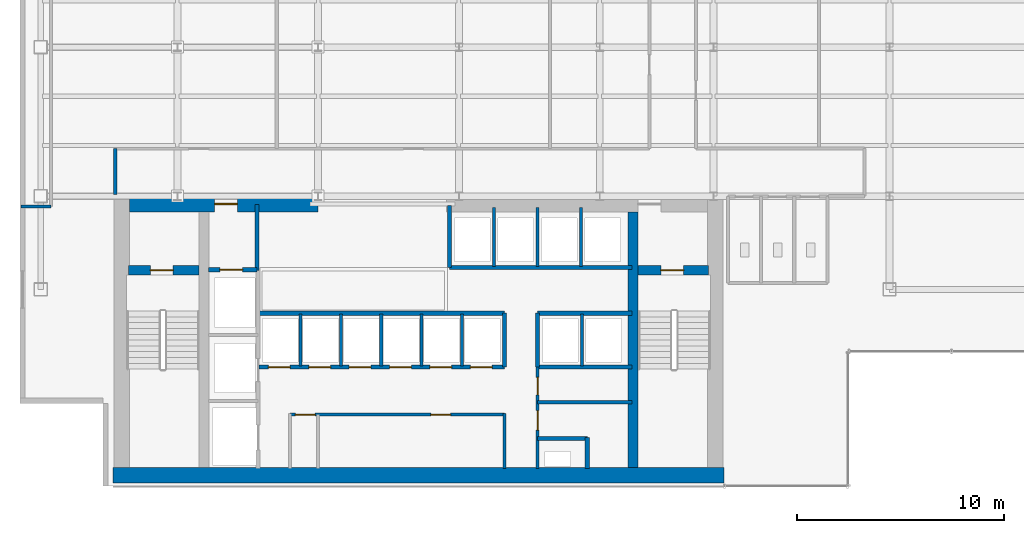
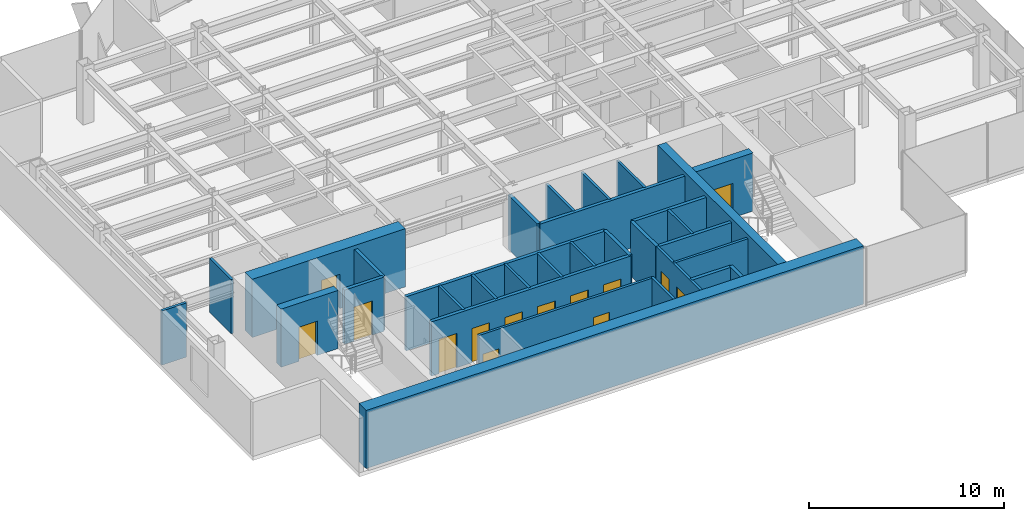
# One storey, part 14 of 19: 32 walls, 14 doors, 14 openings.
"""IFC4 building model written with IfcOpenShell, lengths in metres."""

import ifcopenshell
import ifcopenshell.guid

model = None  # the IFC model being written
_history = None  # IfcOwnerHistory: only IFC2X3 demands one
_inside = {}  # id of a spatial element -> (the spatial element, [elements in it])
_under = {}  # id of a project, library or spatial element -> (it, [spatial elements below it])
_declared = {}  # id of a project -> (the project, [libraries it declares])
_typed = {}  # id of a type object -> (the type object, [elements of that type])
_made_of = {}  # id of a material, layer set ... -> (it, [elements and type objects made of it])


def new_model(schema):
    """Start an empty IFC model of exactly this schema.

    Asked for "IFC4X3", IfcOpenShell would pick the latest addendum, in which some entities
    have other attributes; the version numbers below select the first issue.
    IFC2X3 requires an IfcOwnerHistory on every rooted entity: one is made here for all.
    """
    global model, _history
    if schema == "IFC4X3":
        model = ifcopenshell.file(schema_version=(4, 3, 0, 0))
    else:
        model = ifcopenshell.file(schema=schema)
    _inside.clear()
    _under.clear()
    _declared.clear()
    _typed.clear()
    _made_of.clear()
    _history = None
    if model.schema == "IFC2X3":
        org = make("IfcOrganization", Name="unknown")
        user = make(
            "IfcPersonAndOrganization",
            ThePerson=make("IfcPerson", FamilyName="unknown"),
            TheOrganization=org,
        )
        app = make(
            "IfcApplication",
            ApplicationDeveloper=org,
            Version="unknown",
            ApplicationFullName="unknown",
            ApplicationIdentifier="unknown",
        )
        _history = make(
            "IfcOwnerHistory",
            OwningUser=user,
            OwningApplication=app,
            ChangeAction="ADDED",
            CreationDate=0,
        )
    return model


def make(cls, **values):
    """One entity of the class cls with the attributes given. An attribute that is None is left unset."""
    return model.create_entity(
        cls, **{name: value for name, value in values.items() if value is not None}
    )


def rooted(cls, **values):
    """An entity with a GlobalId (a new one), such as an element, a storey or a relation."""
    return make(cls, GlobalId=ifcopenshell.guid.new(), OwnerHistory=_history, **values)


def si_unit(unit_type, name, prefix=None):
    """IfcSIUnit, for example si_unit("LENGTHUNIT", "METRE", prefix="MILLI")."""
    return make("IfcSIUnit", UnitType=unit_type, Prefix=prefix, Name=name)


def derived_unit(unit_type, elements):
    """IfcDerivedUnit: a product of units, each with its exponent."""
    return make(
        "IfcDerivedUnit",
        Elements=[
            make("IfcDerivedUnitElement", Unit=unit, Exponent=power)
            for unit, power in elements
        ],
        UnitType=unit_type,
    )


def assignment(units):
    """IfcUnitAssignment: the units of a project."""
    return None if units is None else make("IfcUnitAssignment", Units=units)


def point(xyz):
    """IfcCartesianPoint."""
    return None if xyz is None else make("IfcCartesianPoint", Coordinates=xyz)


def direction(xyz):
    """IfcDirection."""
    return None if xyz is None else make("IfcDirection", DirectionRatios=xyz)


def frame(location, z_axis=None, x_axis=None):
    """IfcAxis2Placement3D, a coordinate frame: its origin and axes. An axis left out is left unset."""
    return make(
        "IfcAxis2Placement3D",
        Location=point(location),
        Axis=direction(z_axis),
        RefDirection=direction(x_axis),
    )


def frame_2d(location, x_axis=None):
    """IfcAxis2Placement2D, a coordinate frame in the plane: its origin and x axis."""
    return make(
        "IfcAxis2Placement2D", Location=point(location), RefDirection=direction(x_axis)
    )


def origin():
    """The frame at (0, 0, 0) with its axes left unset."""
    return frame((0.0, 0.0, 0.0))


def place(relative_to, where):
    """IfcLocalPlacement: puts the frame where relative to a parent placement (None: the world)."""
    return make(
        "IfcLocalPlacement", PlacementRelTo=relative_to, RelativePlacement=where
    )


def context(
    kind, dimensions, precision=None, world=None, true_north=None, identifier=None
):
    """IfcGeometricRepresentationContext, for example the 3D "Model" context."""
    return make(
        "IfcGeometricRepresentationContext",
        ContextIdentifier=identifier,
        ContextType=kind,
        CoordinateSpaceDimension=dimensions,
        Precision=precision,
        WorldCoordinateSystem=world,
        TrueNorth=true_north,
    )


def subcontext(parent, identifier, kind, view, scale=None):
    """IfcGeometricRepresentationSubContext, for example "Body" below "Model"."""
    return make(
        "IfcGeometricRepresentationSubContext",
        ContextIdentifier=identifier,
        ContextType=kind,
        ParentContext=parent,
        TargetScale=scale,
        TargetView=view,
    )


def project(units=None, contexts=None):
    """IfcProject with its units and contexts."""
    return rooted(
        "IfcProject",
        Name="project",
        RepresentationContexts=contexts,
        UnitsInContext=assignment(units),
    )


def spatial(cls, under=None, at=None, **own):
    """A site, building, storey or space (cls), placed at a placement, below another one or the project."""
    s = rooted(cls, ObjectPlacement=at, **own)
    if under is not None:
        _under.setdefault(under.id(), (under, []))[1].append(s)
    return s


def profile(cls, at=None, kind="AREA", **sizes):
    """A parametric profile (cls). Its sizes go by their IFC names, for example OverallWidth=200.0."""
    return make(cls, ProfileType=kind, Position=at, **sizes)


def rectangle(**sizes):
    """IfcRectangleProfileDef."""
    return profile("IfcRectangleProfileDef", **sizes)


def extrude(swept, where, along, depth):
    """IfcExtrudedAreaSolid: the profile swept, set in the frame where, extruded along a direction by depth."""
    return make(
        "IfcExtrudedAreaSolid",
        SweptArea=swept,
        Position=where,
        ExtrudedDirection=direction(along),
        Depth=depth,
    )


def shape(context_of_items, identifier, shape_type, items):
    """IfcShapeRepresentation: the items that make up one representation, for example the "Body"."""
    return make(
        "IfcShapeRepresentation",
        ContextOfItems=context_of_items,
        RepresentationIdentifier=identifier,
        RepresentationType=shape_type,
        Items=items,
    )


def source(mapping_origin, context_of_items, identifier, shape_type, items):
    """IfcRepresentationMap: a shape defined once, which mapped items show again and again."""
    return make(
        "IfcRepresentationMap",
        MappingOrigin=mapping_origin,
        MappedRepresentation=shape(context_of_items, identifier, shape_type, items),
    )


def transform(
    local_origin,
    x_axis=None,
    y_axis=None,
    z_axis=None,
    scale=None,
    scale2=None,
    scale3=None,
    uniform=True,
):
    """IfcCartesianTransformationOperator3D, or its non-uniform kind. x_axis, y_axis, z_axis: its Axis1, 2, 3."""
    if uniform:
        return make(
            "IfcCartesianTransformationOperator3D",
            Axis1=direction(x_axis),
            Axis2=direction(y_axis),
            LocalOrigin=point(local_origin),
            Scale=scale,
            Axis3=direction(z_axis),
        )
    return make(
        "IfcCartesianTransformationOperator3DnonUniform",
        Axis1=direction(x_axis),
        Axis2=direction(y_axis),
        LocalOrigin=point(local_origin),
        Scale=scale,
        Axis3=direction(z_axis),
        Scale2=scale2,
        Scale3=scale3,
    )


def mapped(mapping_source, mapping_target):
    """IfcMappedItem: shows the shape of a source again, moved by a transform."""
    return make(
        "IfcMappedItem", MappingSource=mapping_source, MappingTarget=mapping_target
    )


def material(Name=None, Category=None):
    """IfcMaterial."""
    return make("IfcMaterial", Name=Name, Category=Category)


def layer(
    of_material, thickness, ventilated=None, Name=None, Category=None, Priority=None
):
    """IfcMaterialLayer: one layer of a wall or slab, of a material (None: an air gap)."""
    return make(
        "IfcMaterialLayer",
        Material=of_material,
        LayerThickness=thickness,
        IsVentilated=ventilated,
        Name=Name,
        Category=Category,
        Priority=Priority,
    )


def layer_set(layers, Name=None):
    """IfcMaterialLayerSet."""
    return make("IfcMaterialLayerSet", MaterialLayers=layers, LayerSetName=Name)


def made_of(thing, what):
    """Note that an element or type object is made of a material, layer set ...; save() writes the relation."""
    if what is not None:
        _made_of.setdefault(what.id(), (what, []))[1].append(thing)
    return thing


def type_object(cls, material=None, **own):
    """A type object (cls), such as IfcWallType, which elements share."""
    return made_of(rooted(cls, **own), material)


def element(
    cls,
    number,
    at=None,
    inside=None,
    cuts=None,
    type_object=None,
    material=None,
    context=None,
    identifier="Body",
    shape_type=None,
    held_by="IfcProductDefinitionShape",
    body=None,
    shapes=None,
    **own,
):
    """One element of the class cls, such as IfcWall. Its Tag is "e" and its number.

    at: its placement. inside: the storey or other place that contains it. cuts: it is an
    opening in that element (IfcRelVoidsElement). A single representation is given by context,
    identifier, shape_type and body (its items); several are given by shapes. held_by: the class
    of the entity that holds the representations. save() writes the other relations.
    """
    e = rooted(cls, Tag="e%d" % number, ObjectPlacement=at, **own)
    if body is not None:
        shapes = [shape(context, identifier, shape_type, body)]
    if shapes is not None:
        e.Representation = make(held_by, Representations=shapes)
    if inside is not None:
        _inside.setdefault(inside.id(), (inside, []))[1].append(e)
    if cuts is not None:
        rooted(
            "IfcRelVoidsElement", RelatingBuildingElement=cuts, RelatedOpeningElement=e
        )
    if type_object is not None:
        _typed.setdefault(type_object.id(), (type_object, []))[1].append(e)
    return made_of(e, material)


def fill(opening, filler):
    """IfcRelFillsElement: the door or window that sits in an opening."""
    return rooted(
        "IfcRelFillsElement",
        RelatingOpeningElement=opening,
        RelatedBuildingElement=filler,
    )


def aggregate(whole, parts):
    """IfcRelAggregates: a whole, such as a stair, and the parts it consists of."""
    return rooted("IfcRelAggregates", RelatingObject=whole, RelatedObjects=parts)


def save(model, path):
    """Write the relations noted so far, then the file.

    IfcRelAggregates (storeys below a building ...), IfcRelContainedInSpatialStructure (elements
    in a storey), IfcRelDefinesByType, IfcRelAssociatesMaterial and IfcRelDeclares: one each for
    every whole, place, type object, material and project.
    """
    for whole, parts in _under.values():
        aggregate(whole, parts)
    for where, things in _inside.values():
        rooted(
            "IfcRelContainedInSpatialStructure",
            RelatedElements=things,
            RelatingStructure=where,
        )
    for kind, things in _typed.values():
        rooted("IfcRelDefinesByType", RelatedObjects=things, RelatingType=kind)
    for what, things in _made_of.values():
        rooted("IfcRelAssociatesMaterial", RelatedObjects=things, RelatingMaterial=what)
    for by, libraries in _declared.values():
        rooted("IfcRelDeclares", RelatingContext=by, RelatedDefinitions=libraries)
    model.write(path)


model = new_model("IFC4")

# Units and contexts
model_context = context("Model", 3, precision=1e-05, world=origin(), true_north=direction((0.0, 1.0)))
body_context = subcontext(model_context, "Body", "Model", "MODEL_VIEW")
ifc_project = project(units=[si_unit("LENGTHUNIT", "METRE"), si_unit("AREAUNIT", "SQUARE_METRE"), si_unit("VOLUMEUNIT", "CUBIC_METRE"), si_unit("PLANEANGLEUNIT", "RADIAN"), si_unit("MASSUNIT", "GRAM", prefix="KILO"), derived_unit("THERMALTRANSMITTANCEUNIT", [(si_unit("POWERUNIT", "WATT"), 1), (si_unit("LENGTHUNIT", "METRE"), -2), (si_unit("THERMODYNAMICTEMPERATUREUNIT", "KELVIN"), -1)])], contexts=[model_context])

# Site, building, storey
site_placement = place(None, origin())
site = spatial("IfcSite", under=ifc_project, at=site_placement, CompositionType="ELEMENT")
building_placement = place(site_placement, origin())
building = spatial("IfcBuilding", under=site, at=building_placement, Name="Skarnbrae Concourse Arena and Tower", CompositionType="ELEMENT")
storey_placement = place(building_placement, frame((0.0, 0.0, 180.75)))
storey = spatial("IfcBuildingStorey", under=building, at=storey_placement, Name="L46", CompositionType="ELEMENT", Elevation=180.75)

# Wall, opening, door
ifc_material_1 = material(Name="Concrete 50 MPa (C50/60)", Category="concrete")
ifc_layer_1 = layer(ifc_material_1, 0.449951171875)
ifc_layer_set_1 = layer_set([ifc_layer_1], Name="Concrete 50 MPa (C50/60)")
wall_type_1 = type_object("IfcWallType", Name="WALL-CORE-450-C50", PredefinedType="SHEAR", material=ifc_layer_set_1)
shared_shape_1 = source(origin(), body_context, "Body", "SweptSolid", [
    extrude(rectangle(XDim=3.389892578125, YDim=0.449951171875, at=frame_2d((1.69482421875, 0.0))), origin(), (0.0, 0.0, 1.0), 3.64990234375),
])
wall_1_placement = place(storey_placement, frame((5.25, 10.419921875, 0.0), z_axis=(0.0, 0.0, 1.0), x_axis=(1.0, 0.0, 0.0)))
wall_1 = element("IfcWall", 1, at=wall_1_placement, inside=storey, type_object=wall_type_1, Name="L46 Rear core shear wall CW-ST1-N", PredefinedType="SHEAR", context=body_context, shape_type="MappedRepresentation", body=[
    mapped(shared_shape_1, transform((0.0, 0.0, 0.0))),
])
opening_1_placement = place(wall_1_placement, frame((1.050048828125, 0.0, 0.0)))
opening_1 = element("IfcOpeningElement", 2, at=opening_1_placement, cuts=wall_1, Name="Opening DT-03", PredefinedType="OPENING", context=body_context, shape_type="SweptSolid", body=[
    extrude(rectangle(XDim=1.10009765625, YDim=2.14990234375, at=frame_2d((0.550048828125, 1.074951171875))), frame((0.0, 0.23486328125, 0.0), z_axis=(0.0, -1.0, 0.0), x_axis=(1.0, 0.0, 0.0)), (0.0, 0.0, 1.0), 0.469970703125),
])
ifc_material_2 = material(Name="Steel CSA G40.21 350W", Category="steel")
door_type_1 = type_object("IfcDoorType", Name="DOOR-FIRE-1100-90M", OperationType="NOTDEFINED", PredefinedType="DOOR", material=ifc_material_2)
shared_shape_2 = source(origin(), body_context, "Body", "SweptSolid", [
    extrude(rectangle(XDim=1.10009765625, YDim=2.14990234375, at=frame_2d((0.550048828125, 1.074951171875))), frame((0.0, 0.02490234375, 0.0), z_axis=(0.0, -1.0, 0.0), x_axis=(1.0, 0.0, 0.0)), (0.0, 0.0, 1.0), 0.050048828125),
])
door_1_placement = place(opening_1_placement, frame((1.10009765625, 0.0, 0.0), z_axis=(0.0, 0.0, 1.0), x_axis=(-1.0, 0.0, 0.0)))
door_1 = element("IfcDoor", 3, at=door_1_placement, inside=storey, type_object=door_type_1, Name="D-1406 Stair ST-1 Door", OperationType="SINGLE_SWING_LEFT", OverallHeight=2.14990234375, OverallWidth=1.10009765625, PredefinedType="DOOR", context=body_context, shape_type="MappedRepresentation", body=[
    mapped(shared_shape_2, transform((0.0, 0.0, 0.0))),
])
fill(opening_1, door_1)

wall_2_placement = place(storey_placement, frame((29.860107421875, 10.419921875, 0.0), z_axis=(0.0, 0.0, 1.0), x_axis=(1.0, 0.0, 0.0)))
wall_2 = element("IfcWall", 4, at=wall_2_placement, inside=storey, type_object=wall_type_1, Name="L46 Rear core shear wall CW-ST2-N", PredefinedType="SHEAR", context=body_context, shape_type="MappedRepresentation", body=[
    mapped(shared_shape_1, transform((0.0, 0.0, 0.0))),
])
opening_2_placement = place(wall_2_placement, frame((1.10009765625, 0.0, 0.0)))
opening_2 = element("IfcOpeningElement", 5, at=opening_2_placement, cuts=wall_2, Name="Opening DT-03", PredefinedType="OPENING", context=body_context, shape_type="SweptSolid", body=[
    extrude(rectangle(XDim=1.10009765625, YDim=2.14990234375, at=frame_2d((0.550048828125, 1.074951171875))), frame((0.0, 0.23486328125, 0.0), z_axis=(0.0, -1.0, 0.0), x_axis=(1.0, 0.0, 0.0)), (0.0, 0.0, 1.0), 0.469970703125),
])
door_2_placement = place(opening_2_placement, frame((1.10009765625, 0.0, 0.0), z_axis=(0.0, 0.0, 1.0), x_axis=(-1.0, 0.0, 0.0)))
door_2 = element("IfcDoor", 6, at=door_2_placement, inside=storey, type_object=door_type_1, Name="D-1407 Stair ST-2 Door", OperationType="SINGLE_SWING_RIGHT", OverallHeight=2.14990234375, OverallWidth=1.10009765625, PredefinedType="DOOR", context=body_context, shape_type="MappedRepresentation", body=[
    mapped(shared_shape_2, transform((0.0, 0.0, 0.0))),
])
fill(opening_2, door_2)

# Wall
ifc_material_3 = material(Name="Concrete 60 MPa (C60/75)", Category="concrete")
ifc_layer_2 = layer(ifc_material_3, 0.75)
ifc_layer_set_2 = layer_set([ifc_layer_2], Name="Concrete 60 MPa (C60/75)")
wall_type_2 = type_object("IfcWallType", Name="WALL-CORE-750-C60", PredefinedType="SHEAR", material=ifc_layer_set_2)
shared_shape_3 = source(origin(), body_context, "Body", "SweptSolid", [
    extrude(rectangle(XDim=29.5, YDim=0.75, at=frame_2d((14.75, 0.0))), origin(), (0.0, 0.0, 1.0), 3.64990234375),
])
wall_3_placement = place(storey_placement, frame((4.5, 0.52490234375, 0.0), z_axis=(0.0, 0.0, 1.0), x_axis=(1.0, 0.0, 0.0)))
element("IfcWall", 7, at=wall_3_placement, inside=storey, type_object=wall_type_2, Name="L46 Rear core shear wall CW-S", PredefinedType="SHEAR", context=body_context, shape_type="MappedRepresentation", body=[
    mapped(shared_shape_3, transform((0.0, 0.0, 0.0))),
])

# Wall, opening, door
shared_shape_4 = source(origin(), body_context, "Body", "SweptSolid", [
    extrude(rectangle(XDim=9.099853515625, YDim=0.75, at=frame_2d((4.5498046875, 0.0))), origin(), (0.0, 0.0, 1.0), 3.64990234375),
])
wall_4_placement = place(storey_placement, frame((5.300048828125, 13.625, 0.0), z_axis=(0.0, 0.0, 1.0), x_axis=(1.0, 0.0, 0.0)))
wall_4 = element("IfcWall", 8, at=wall_4_placement, inside=storey, type_object=wall_type_2, Name="L46 Rear core shear wall CW-NW", PredefinedType="SHEAR", context=body_context, shape_type="MappedRepresentation", body=[
    mapped(shared_shape_4, transform((0.0, 0.0, 0.0))),
])
opening_3_placement = place(wall_4_placement, frame((4.10009765625, 0.0, 0.0)))
opening_3 = element("IfcOpeningElement", 9, at=opening_3_placement, cuts=wall_4, Name="Opening DT-03", PredefinedType="OPENING", context=body_context, shape_type="SweptSolid", body=[
    extrude(rectangle(XDim=1.10009765625, YDim=2.14990234375, at=frame_2d((0.550048828125, 1.074951171875))), frame((0.0, 0.385009765625, 0.0), z_axis=(0.0, -1.0, 0.0), x_axis=(1.0, 0.0, 0.0)), (0.0, 0.0, 1.0), 0.77001953125),
])
door_3_placement = place(opening_3_placement, origin())
door_3 = element("IfcDoor", 10, at=door_3_placement, inside=storey, type_object=door_type_1, Name="D-1408 Firefighting Lobby Exit Door", OperationType="SINGLE_SWING_RIGHT", OverallHeight=2.14990234375, OverallWidth=1.10009765625, PredefinedType="DOOR", context=body_context, shape_type="MappedRepresentation", body=[
    mapped(shared_shape_2, transform((0.0, 0.0, 0.0))),
])
fill(opening_3, door_3)

# Walls
ifc_layer_3 = layer(ifc_material_3, 0.5)
ifc_layer_set_3 = layer_set([ifc_layer_3], Name="Concrete 60 MPa (C60/75)")
wall_type_3 = type_object("IfcWallType", Name="WALL-CORE-500-C60", PredefinedType="SHEAR", material=ifc_layer_set_3)
shared_shape_5 = source(origin(), body_context, "Body", "SweptSolid", [
    extrude(rectangle(XDim=12.35009765625, YDim=0.5, at=frame_2d((6.175048828125, 0.0))), origin(), (0.0, 0.0, 1.0), 3.64990234375),
])
wall_5_placement = place(storey_placement, frame((29.610107421875, 0.89990234375, 0.0), z_axis=(0.0, 0.0, 1.0), x_axis=(0.0, 1.0, 0.0)))
element("IfcWall", 11, at=wall_5_placement, inside=storey, type_object=wall_type_3, Name="L46 Rear core shear wall CW-WEB-E", PredefinedType="SHEAR", context=body_context, shape_type="MappedRepresentation", body=[
    mapped(shared_shape_5, transform((0.0, 0.0, 0.0))),
])
ifc_material_4 = material(Name="Gypsum board on cold-formed steel studs", Category="steel")
ifc_layer_4 = layer(ifc_material_4, 0.199951171875)
ifc_layer_set_4 = layer_set([ifc_layer_4], Name="Gypsum board on cold-formed steel studs")
wall_type_4 = type_object("IfcWallType", Name="WALL-PART-200-2HR", PredefinedType="PARTITIONING", material=ifc_layer_set_4)
shared_shape_6 = source(origin(), body_context, "Body", "SweptSolid", [
    extrude(rectangle(XDim=3.18017578125, YDim=0.199951171875, at=frame_2d((1.590087890625, 0.0))), origin(), (0.0, 0.0, 1.0), 3.39990234375),
])
wall_6_placement = place(storey_placement, frame((11.449951171875, 10.419921875, 0.0), z_axis=(0.0, 0.0, 1.0), x_axis=(0.0, 1.0, 0.0)))
element("IfcWall", 12, at=wall_6_placement, inside=storey, type_object=wall_type_4, Name="L46 Interior partition wall W-L46-FFL-E", PredefinedType="PARTITIONING", context=body_context, shape_type="MappedRepresentation", body=[
    mapped(shared_shape_6, transform((0.0, 0.0, 0.0))),
])

# Wall, opening, door
shared_shape_7 = source(origin(), body_context, "Body", "SweptSolid", [
    extrude(rectangle(XDim=2.349853515625, YDim=0.199951171875, at=frame_2d((1.1748046875, 0.0))), origin(), (0.0, 0.0, 1.0), 3.39990234375),
])
wall_7_placement = place(storey_placement, frame((9.10009765625, 10.449951171875, 0.0), z_axis=(0.0, 0.0, 1.0), x_axis=(1.0, 0.0, 0.0)))
wall_7 = element("IfcWall", 13, at=wall_7_placement, inside=storey, type_object=wall_type_4, Name="L46 Interior partition wall W-L46-FL1-N", PredefinedType="PARTITIONING", context=body_context, shape_type="MappedRepresentation", body=[
    mapped(shared_shape_7, transform((0.0, 0.0, 0.0))),
])
opening_4_placement = place(wall_7_placement, frame((0.550048828125, 0.0, 0.0)))
opening_4 = element("IfcOpeningElement", 14, at=opening_4_placement, cuts=wall_7, Name="Opening LD-01", PredefinedType="OPENING", context=body_context, shape_type="SweptSolid", body=[
    extrude(rectangle(XDim=1.10009765625, YDim=2.14990234375, at=frame_2d((0.550048828125, 1.074951171875))), frame((0.0, 0.10986328125, 0.0), z_axis=(0.0, -1.0, 0.0), x_axis=(1.0, 0.0, 0.0)), (0.0, 0.0, 1.0), 0.219970703125),
])
door_type_2 = type_object("IfcDoorType", Name="DOOR-LIFT-SLIDE-1100", OperationType="SLIDING_TO_LEFT", PredefinedType="DOOR", material=ifc_material_2)
door_4_placement = place(opening_4_placement, origin())
door_4 = element("IfcDoor", 15, at=door_4_placement, inside=storey, type_object=door_type_2, Name="D-1410 Firefighting Lift Landing Door FL-01", OperationType="SLIDING_TO_LEFT", OverallHeight=2.14990234375, OverallWidth=1.10009765625, PredefinedType="DOOR", context=body_context, shape_type="MappedRepresentation", body=[
    mapped(shared_shape_2, transform((0.0, 0.0, 0.0))),
])
fill(opening_4, door_4)

# Wall, openings, doors
shared_shape_8 = source(origin(), body_context, "Body", "SweptSolid", [
    extrude(rectangle(XDim=11.849853515625, YDim=0.199951171875, at=frame_2d((5.9248046875, 0.0))), origin(), (0.0, 0.0, 1.0), 3.39990234375),
])
wall_8_placement = place(storey_placement, frame((11.550048828125, 5.75, 0.0), z_axis=(0.0, 0.0, 1.0), x_axis=(1.0, 0.0, 0.0)))
wall_8 = element("IfcWall", 16, at=wall_8_placement, inside=storey, type_object=wall_type_4, Name="L46 Interior partition wall W-L46-B2-S", PredefinedType="PARTITIONING", context=body_context, shape_type="MappedRepresentation", body=[
    mapped(shared_shape_8, transform((0.0, 0.0, 0.0))),
])
opening_5_placement = place(wall_8_placement, frame((0.449951171875, 0.0, 0.0)))
opening_5 = element("IfcOpeningElement", 17, at=opening_5_placement, cuts=wall_8, Name="Opening LD-03", PredefinedType="OPENING", context=body_context, shape_type="SweptSolid", body=[
    extrude(rectangle(XDim=1.050048828125, YDim=2.14990234375, at=frame_2d((0.52490234375, 1.074951171875))), frame((0.0, 0.10986328125, 0.0), z_axis=(0.0, -1.0, 0.0), x_axis=(1.0, 0.0, 0.0)), (0.0, 0.0, 1.0), 0.219970703125),
])
opening_6_placement = place(wall_8_placement, frame((2.39990234375, 0.0, 0.0)))
opening_6 = element("IfcOpeningElement", 18, at=opening_6_placement, cuts=wall_8, Name="Opening LD-03", PredefinedType="OPENING", context=body_context, shape_type="SweptSolid", body=[
    extrude(rectangle(XDim=1.050048828125, YDim=2.14990234375, at=frame_2d((0.52490234375, 1.074951171875))), frame((0.0, 0.10986328125, 0.0), z_axis=(0.0, -1.0, 0.0), x_axis=(1.0, 0.0, 0.0)), (0.0, 0.0, 1.0), 0.219970703125),
])
opening_7_placement = place(wall_8_placement, frame((4.35009765625, 0.0, 0.0)))
opening_7 = element("IfcOpeningElement", 19, at=opening_7_placement, cuts=wall_8, Name="Opening LD-03", PredefinedType="OPENING", context=body_context, shape_type="SweptSolid", body=[
    extrude(rectangle(XDim=1.050048828125, YDim=2.14990234375, at=frame_2d((0.52490234375, 1.074951171875))), frame((0.0, 0.10986328125, 0.0), z_axis=(0.0, -1.0, 0.0), x_axis=(1.0, 0.0, 0.0)), (0.0, 0.0, 1.0), 0.219970703125),
])
opening_8_placement = place(wall_8_placement, frame((6.300048828125, 0.0, 0.0)))
opening_8 = element("IfcOpeningElement", 20, at=opening_8_placement, cuts=wall_8, Name="Opening LD-03", PredefinedType="OPENING", context=body_context, shape_type="SweptSolid", body=[
    extrude(rectangle(XDim=1.050048828125, YDim=2.14990234375, at=frame_2d((0.52490234375, 1.074951171875))), frame((0.0, 0.10986328125, 0.0), z_axis=(0.0, -1.0, 0.0), x_axis=(1.0, 0.0, 0.0)), (0.0, 0.0, 1.0), 0.219970703125),
])
opening_9_placement = place(wall_8_placement, frame((8.25, 0.0, 0.0)))
opening_9 = element("IfcOpeningElement", 21, at=opening_9_placement, cuts=wall_8, Name="Opening LD-03", PredefinedType="OPENING", context=body_context, shape_type="SweptSolid", body=[
    extrude(rectangle(XDim=1.050048828125, YDim=2.14990234375, at=frame_2d((0.52490234375, 1.074951171875))), frame((0.0, 0.10986328125, 0.0), z_axis=(0.0, -1.0, 0.0), x_axis=(1.0, 0.0, 0.0)), (0.0, 0.0, 1.0), 0.219970703125),
])
opening_10_placement = place(wall_8_placement, frame((10.199951171875, 0.0, 0.0)))
opening_10 = element("IfcOpeningElement", 22, at=opening_10_placement, cuts=wall_8, Name="Opening LD-03", PredefinedType="OPENING", context=body_context, shape_type="SweptSolid", body=[
    extrude(rectangle(XDim=1.050048828125, YDim=2.14990234375, at=frame_2d((0.52490234375, 1.074951171875))), frame((0.0, 0.10986328125, 0.0), z_axis=(0.0, -1.0, 0.0), x_axis=(1.0, 0.0, 0.0)), (0.0, 0.0, 1.0), 0.219970703125),
])
ifc_material_5 = material(Name="Bronze anodised aluminium 6063-T6", Category="aluminium")
door_type_3 = type_object("IfcDoorType", Name="DOOR-LIFT-SLIDE-1050", OperationType="SLIDING_TO_LEFT", PredefinedType="DOOR", material=ifc_material_5)
shared_shape_9 = source(origin(), body_context, "Body", "SweptSolid", [
    extrude(rectangle(XDim=1.050048828125, YDim=2.14990234375, at=frame_2d((0.52490234375, 1.074951171875))), frame((0.0, 0.02490234375, 0.0), z_axis=(0.0, -1.0, 0.0), x_axis=(1.0, 0.0, 0.0)), (0.0, 0.0, 1.0), 0.050048828125),
])
door_5_placement = place(opening_5_placement, frame((1.050048828125, 0.0, 0.0), z_axis=(0.0, 0.0, 1.0), x_axis=(-1.0, 0.0, 0.0)))
door_5 = element("IfcDoor", 23, at=door_5_placement, inside=storey, type_object=door_type_3, Name="D-1415 Passenger Lift Landing Door PL-2A", OperationType="SLIDING_TO_LEFT", OverallHeight=2.14990234375, OverallWidth=1.050048828125, PredefinedType="DOOR", context=body_context, shape_type="MappedRepresentation", body=[
    mapped(shared_shape_9, transform((0.0, 0.0, 0.0))),
])
fill(opening_5, door_5)
door_6_placement = place(opening_6_placement, frame((1.050048828125, 0.0, 0.0), z_axis=(0.0, 0.0, 1.0), x_axis=(-1.0, 0.0, 0.0)))
door_6 = element("IfcDoor", 24, at=door_6_placement, inside=storey, type_object=door_type_3, Name="D-1416 Passenger Lift Landing Door PL-2B", OperationType="SLIDING_TO_LEFT", OverallHeight=2.14990234375, OverallWidth=1.050048828125, PredefinedType="DOOR", context=body_context, shape_type="MappedRepresentation", body=[
    mapped(shared_shape_9, transform((0.0, 0.0, 0.0))),
])
fill(opening_6, door_6)
door_7_placement = place(opening_7_placement, frame((1.050048828125, 0.0, 0.0), z_axis=(0.0, 0.0, 1.0), x_axis=(-1.0, 0.0, 0.0)))
door_7 = element("IfcDoor", 25, at=door_7_placement, inside=storey, type_object=door_type_3, Name="D-1417 Passenger Lift Landing Door PL-2C", OperationType="SLIDING_TO_LEFT", OverallHeight=2.14990234375, OverallWidth=1.050048828125, PredefinedType="DOOR", context=body_context, shape_type="MappedRepresentation", body=[
    mapped(shared_shape_9, transform((0.0, 0.0, 0.0))),
])
fill(opening_7, door_7)
door_8_placement = place(opening_8_placement, frame((1.050048828125, 0.0, 0.0), z_axis=(0.0, 0.0, 1.0), x_axis=(-1.0, 0.0, 0.0)))
door_8 = element("IfcDoor", 26, at=door_8_placement, inside=storey, type_object=door_type_3, Name="D-1418 Passenger Lift Landing Door PL-2D", OperationType="SLIDING_TO_LEFT", OverallHeight=2.14990234375, OverallWidth=1.050048828125, PredefinedType="DOOR", context=body_context, shape_type="MappedRepresentation", body=[
    mapped(shared_shape_9, transform((0.0, 0.0, 0.0))),
])
fill(opening_8, door_8)
door_9_placement = place(opening_9_placement, frame((1.050048828125, 0.0, 0.0), z_axis=(0.0, 0.0, 1.0), x_axis=(-1.0, 0.0, 0.0)))
door_9 = element("IfcDoor", 27, at=door_9_placement, inside=storey, type_object=door_type_3, Name="D-1419 Passenger Lift Landing Door PL-2E", OperationType="SLIDING_TO_LEFT", OverallHeight=2.14990234375, OverallWidth=1.050048828125, PredefinedType="DOOR", context=body_context, shape_type="MappedRepresentation", body=[
    mapped(shared_shape_9, transform((0.0, 0.0, 0.0))),
])
fill(opening_9, door_9)
door_10_placement = place(opening_10_placement, frame((1.050048828125, 0.0, 0.0), z_axis=(0.0, 0.0, 1.0), x_axis=(-1.0, 0.0, 0.0)))
door_10 = element("IfcDoor", 28, at=door_10_placement, inside=storey, type_object=door_type_3, Name="D-1420 Passenger Lift Landing Door PL-2F", OperationType="SLIDING_TO_LEFT", OverallHeight=2.14990234375, OverallWidth=1.050048828125, PredefinedType="DOOR", context=body_context, shape_type="MappedRepresentation", body=[
    mapped(shared_shape_9, transform((0.0, 0.0, 0.0))),
])
fill(opening_10, door_10)

# Walls
wall_9_placement = place(storey_placement, frame((11.550048828125, 8.35009765625, 0.0), z_axis=(0.0, 0.0, 1.0), x_axis=(1.0, 0.0, 0.0)))
element("IfcWall", 29, at=wall_9_placement, inside=storey, type_object=wall_type_4, Name="L46 Interior partition wall W-L46-B2-N", PredefinedType="PARTITIONING", context=body_context, shape_type="MappedRepresentation", body=[
    mapped(shared_shape_8, transform((0.0, 0.0, 0.0))),
])
shared_shape_10 = source(origin(), body_context, "Body", "SweptSolid", [
    extrude(rectangle(XDim=2.60009765625, YDim=0.199951171875, at=frame_2d((1.300048828125, 0.0))), origin(), (0.0, 0.0, 1.0), 3.39990234375),
])
for number, where, z_axis, x_axis, name in (
    (30, (23.39990234375, 5.75, 0.0), (0.0, 0.0, 1.0), (0.0, 1.0, 0.0), "L46 Interior partition wall W-L46-B2-E"),
    (31, (25.0, 5.75, 0.0), (0.0, 0.0, 1.0), (0.0, 1.0, 0.0), "L46 Interior partition wall W-L46-B3S-W"),
):
    element("IfcWall", number, at=place(storey_placement, frame(where, z_axis=z_axis, x_axis=x_axis)), inside=storey, type_object=wall_type_4, Name=name, PredefinedType="PARTITIONING", context=body_context, shape_type="MappedRepresentation", body=[
        mapped(shared_shape_10, transform((0.0, 0.0, 0.0))),
    ])
ifc_layer_5 = layer(ifc_material_4, 0.14990234375)
ifc_layer_set_5 = layer_set([ifc_layer_5], Name="Gypsum board on cold-formed steel studs")
wall_type_5 = type_object("IfcWallType", Name="WALL-PART-150", PredefinedType="PARTITIONING", material=ifc_layer_set_5)
shared_shape_11 = source(origin(), body_context, "Body", "SweptSolid", [
    extrude(rectangle(XDim=2.5, YDim=0.14990234375, at=frame_2d((1.25, 0.0))), origin(), (0.0, 0.0, 1.0), 3.39990234375),
])
for number, where, z_axis, x_axis, name in (
    (32, (13.550048828125, 5.800048828125, 0.0), (0.0, 0.0, 1.0), (0.0, 1.0, 0.0), "L46 Interior partition wall W-L46-B2-P1"),
    (33, (15.5, 5.800048828125, 0.0), (0.0, 0.0, 1.0), (0.0, 1.0, 0.0), "L46 Interior partition wall W-L46-B2-P2"),
    (34, (17.449951171875, 5.800048828125, 0.0), (0.0, 0.0, 1.0), (0.0, 1.0, 0.0), "L46 Interior partition wall W-L46-B2-P3"),
    (35, (19.39990234375, 5.800048828125, 0.0), (0.0, 0.0, 1.0), (0.0, 1.0, 0.0), "L46 Interior partition wall W-L46-B2-P4"),
    (36, (21.35009765625, 5.800048828125, 0.0), (0.0, 0.0, 1.0), (0.0, 1.0, 0.0), "L46 Interior partition wall W-L46-B2-P5"),
    (37, (27.139892578125, 5.800048828125, 0.0), (0.0, 0.0, 1.0), (0.0, 1.0, 0.0), "L46 Interior partition wall W-L46-B3S-P1"),
):
    element("IfcWall", number, at=place(storey_placement, frame(where, z_axis=z_axis, x_axis=x_axis)), inside=storey, type_object=wall_type_5, Name=name, PredefinedType="PARTITIONING", context=body_context, shape_type="MappedRepresentation", body=[
        mapped(shared_shape_11, transform((0.0, 0.0, 0.0))),
    ])
shared_shape_12 = source(origin(), body_context, "Body", "SweptSolid", [
    extrude(rectangle(XDim=8.800048828125, YDim=0.199951171875, at=frame_2d((4.39990234375, 0.0))), origin(), (0.0, 0.0, 1.0), 3.39990234375),
])
wall_10_placement = place(storey_placement, frame((20.75, 10.550048828125, 0.0), z_axis=(0.0, 0.0, 1.0), x_axis=(1.0, 0.0, 0.0)))
element("IfcWall", 38, at=wall_10_placement, inside=storey, type_object=wall_type_4, Name="L46 Interior partition wall W-L46-B3N-S", PredefinedType="PARTITIONING", context=body_context, shape_type="MappedRepresentation", body=[
    mapped(shared_shape_12, transform((0.0, 0.0, 0.0))),
])
shared_shape_13 = source(origin(), body_context, "Body", "SweptSolid", [
    extrude(rectangle(XDim=3.0, YDim=0.199951171875, at=frame_2d((1.5, 0.0))), origin(), (0.0, 0.0, 1.0), 3.39990234375),
])
wall_11_placement = place(storey_placement, frame((20.75, 10.550048828125, 0.0), z_axis=(0.0, 0.0, 1.0), x_axis=(0.0, 1.0, 0.0)))
element("IfcWall", 39, at=wall_11_placement, inside=storey, type_object=wall_type_4, Name="L46 Interior partition wall W-L46-B3N-W", PredefinedType="PARTITIONING", context=body_context, shape_type="MappedRepresentation", body=[
    mapped(shared_shape_13, transform((0.0, 0.0, 0.0))),
])
shared_shape_14 = source(origin(), body_context, "Body", "SweptSolid", [
    extrude(rectangle(XDim=2.849853515625, YDim=0.14990234375, at=frame_2d((1.4248046875, 0.0))), origin(), (0.0, 0.0, 1.0), 3.39990234375),
])
for number, where, z_axis, x_axis, name in (
    (40, (22.889892578125, 10.60009765625, 0.0), (0.0, 0.0, 1.0), (0.0, 1.0, 0.0), "L46 Interior partition wall W-L46-B3N-P1"),
    (41, (24.989990234375, 10.60009765625, 0.0), (0.0, 0.0, 1.0), (0.0, 1.0, 0.0), "L46 Interior partition wall W-L46-B3N-P2"),
    (42, (27.090087890625, 10.60009765625, 0.0), (0.0, 0.0, 1.0), (0.0, 1.0, 0.0), "L46 Interior partition wall W-L46-B3N-P3"),
):
    element("IfcWall", number, at=place(storey_placement, frame(where, z_axis=z_axis, x_axis=x_axis)), inside=storey, type_object=wall_type_5, Name=name, PredefinedType="PARTITIONING", context=body_context, shape_type="MappedRepresentation", body=[
        mapped(shared_shape_14, transform((0.0, 0.0, 0.0))),
    ])
shared_shape_15 = source(origin(), body_context, "Body", "SweptSolid", [
    extrude(rectangle(XDim=4.550048828125, YDim=0.199951171875, at=frame_2d((2.27490234375, 0.0))), origin(), (0.0, 0.0, 1.0), 3.39990234375),
])
for number, where, z_axis, x_axis, name in (
    (43, (25.0, 8.35009765625, 0.0), (0.0, 0.0, 1.0), (1.0, 0.0, 0.0), "L46 Interior partition wall W-L46-B3S-N"),
    (44, (25.0, 5.75, 0.0), (0.0, 0.0, 1.0), (1.0, 0.0, 0.0), "L46 Interior partition wall W-L46-B3S-S"),
):
    element("IfcWall", number, at=place(storey_placement, frame(where, z_axis=z_axis, x_axis=x_axis)), inside=storey, type_object=wall_type_4, Name=name, PredefinedType="PARTITIONING", context=body_context, shape_type="MappedRepresentation", body=[
        mapped(shared_shape_15, transform((0.0, 0.0, 0.0))),
    ])

# Wall, openings, doors
ifc_layer_6 = layer(ifc_material_4, 0.14990234375)
ifc_layer_set_6 = layer_set([ifc_layer_6], Name="Gypsum board on cold-formed steel studs")
wall_type_6 = type_object("IfcWallType", Name="WALL-PART-150-1HR", PredefinedType="PARTITIONING", material=ifc_layer_set_6)
shared_shape_16 = source(origin(), body_context, "Body", "SweptSolid", [
    extrude(rectangle(XDim=4.89990234375, YDim=0.14990234375, at=frame_2d((2.449951171875, 0.0))), origin(), (0.0, 0.0, 1.0), 3.39990234375),
])
wall_12_placement = place(storey_placement, frame((25.0, 0.85009765625, 0.0), z_axis=(0.0, 0.0, 1.0), x_axis=(0.0, 1.0, 0.0)))
wall_12 = element("IfcWall", 45, at=wall_12_placement, inside=storey, type_object=wall_type_6, Name="L46 Interior partition wall W-L46-CSV-W", PredefinedType="PARTITIONING", context=body_context, shape_type="MappedRepresentation", body=[
    mapped(shared_shape_16, transform((0.0, 0.0, 0.0))),
])
opening_11_placement = place(wall_12_placement, frame((1.85009765625, 0.0, 0.0)))
opening_11 = element("IfcOpeningElement", 46, at=opening_11_placement, cuts=wall_12, Name="Opening DT-04", PredefinedType="OPENING", context=body_context, shape_type="SweptSolid", body=[
    extrude(rectangle(XDim=0.949951171875, YDim=2.14990234375, at=frame_2d((0.47509765625, 1.074951171875))), frame((0.0, 0.0849609375, 0.0), z_axis=(0.0, -1.0, 0.0), x_axis=(1.0, 0.0, 0.0)), (0.0, 0.0, 1.0), 0.169921875),
])
opening_12_placement = place(wall_12_placement, frame((3.550048828125, 0.0, 0.0)))
opening_12 = element("IfcOpeningElement", 47, at=opening_12_placement, cuts=wall_12, Name="Opening DT-08", PredefinedType="OPENING", context=body_context, shape_type="SweptSolid", body=[
    extrude(rectangle(XDim=0.85009765625, YDim=2.14990234375, at=frame_2d((0.425048828125, 1.074951171875))), frame((0.0, 0.0849609375, 0.0), z_axis=(0.0, -1.0, 0.0), x_axis=(1.0, 0.0, 0.0)), (0.0, 0.0, 1.0), 0.169921875),
])
door_type_4 = type_object("IfcDoorType", Name="DOOR-INT-950-45M", OperationType="NOTDEFINED", PredefinedType="DOOR", material=ifc_material_2)
shared_shape_17 = source(origin(), body_context, "Body", "SweptSolid", [
    extrude(rectangle(XDim=0.949951171875, YDim=2.14990234375, at=frame_2d((0.47509765625, 1.074951171875))), frame((0.0, 0.02490234375, 0.0), z_axis=(0.0, -1.0, 0.0), x_axis=(1.0, 0.0, 0.0)), (0.0, 0.0, 1.0), 0.050048828125),
])
door_11_placement = place(opening_11_placement, origin())
door_11 = element("IfcDoor", 48, at=door_11_placement, inside=storey, type_object=door_type_4, Name="D-1421 Core Staff WC Door", OperationType="SINGLE_SWING_RIGHT", OverallHeight=2.14990234375, OverallWidth=0.949951171875, PredefinedType="DOOR", context=body_context, shape_type="MappedRepresentation", body=[
    mapped(shared_shape_17, transform((0.0, 0.0, 0.0))),
])
fill(opening_11, door_11)
door_type_5 = type_object("IfcDoorType", Name="DOOR-INT-850-45M", OperationType="NOTDEFINED", PredefinedType="DOOR", material=ifc_material_2)
shared_shape_18 = source(origin(), body_context, "Body", "SweptSolid", [
    extrude(rectangle(XDim=0.85009765625, YDim=2.14990234375, at=frame_2d((0.425048828125, 1.074951171875))), frame((0.0, 0.02490234375, 0.0), z_axis=(0.0, -1.0, 0.0), x_axis=(1.0, 0.0, 0.0)), (0.0, 0.0, 1.0), 0.050048828125),
])
door_12_placement = place(opening_12_placement, origin())
door_12 = element("IfcDoor", 49, at=door_12_placement, inside=storey, type_object=door_type_5, Name="D-1422 IT Patch Room Door", OperationType="SINGLE_SWING_LEFT", OverallHeight=2.14990234375, OverallWidth=0.85009765625, PredefinedType="DOOR", context=body_context, shape_type="MappedRepresentation", body=[
    mapped(shared_shape_18, transform((0.0, 0.0, 0.0))),
])
fill(opening_12, door_12)

# Walls
shared_shape_19 = source(origin(), body_context, "Body", "SweptSolid", [
    extrude(rectangle(XDim=2.39990234375, YDim=0.199951171875, at=frame_2d((1.199951171875, 0.0))), origin(), (0.0, 0.0, 1.0), 3.39990234375),
])
wall_13_placement = place(storey_placement, frame((25.0, 2.300048828125, 0.0), z_axis=(0.0, 0.0, 1.0), x_axis=(1.0, 0.0, 0.0)))
element("IfcWall", 50, at=wall_13_placement, inside=storey, type_object=wall_type_4, Name="L46 Interior partition wall W-L46-MEP-N", PredefinedType="PARTITIONING", context=body_context, shape_type="MappedRepresentation", body=[
    mapped(shared_shape_19, transform((0.0, 0.0, 0.0))),
])
shared_shape_20 = source(origin(), body_context, "Body", "SweptSolid", [
    extrude(rectangle(XDim=1.5, YDim=0.199951171875, at=frame_2d((0.75, 0.0))), origin(), (0.0, 0.0, 1.0), 3.39990234375),
])
wall_14_placement = place(storey_placement, frame((27.39990234375, 0.85009765625, 0.0), z_axis=(0.0, 0.0, 1.0), x_axis=(0.0, 1.0, 0.0)))
element("IfcWall", 51, at=wall_14_placement, inside=storey, type_object=wall_type_4, Name="L46 Interior partition wall W-L46-MEP-E", PredefinedType="PARTITIONING", context=body_context, shape_type="MappedRepresentation", body=[
    mapped(shared_shape_20, transform((0.0, 0.0, 0.0))),
])
shared_shape_21 = source(origin(), body_context, "Body", "SweptSolid", [
    extrude(rectangle(XDim=4.550048828125, YDim=0.14990234375, at=frame_2d((2.27490234375, 0.0))), origin(), (0.0, 0.0, 1.0), 3.39990234375),
])
wall_15_placement = place(storey_placement, frame((25.0, 4.050048828125, 0.0), z_axis=(0.0, 0.0, 1.0), x_axis=(1.0, 0.0, 0.0)))
element("IfcWall", 52, at=wall_15_placement, inside=storey, type_object=wall_type_5, Name="L46 Interior partition wall W-L46-CSV-H2", PredefinedType="PARTITIONING", context=body_context, shape_type="MappedRepresentation", body=[
    mapped(shared_shape_21, transform((0.0, 0.0, 0.0))),
])
shared_shape_22 = source(origin(), body_context, "Body", "SweptSolid", [
    extrude(rectangle(XDim=2.64990234375, YDim=0.14990234375, at=frame_2d((1.324951171875, 0.0))), origin(), (0.0, 0.0, 1.0), 3.39990234375),
])
wall_16_placement = place(storey_placement, frame((23.39990234375, 0.85009765625, 0.0), z_axis=(0.0, 0.0, 1.0), x_axis=(0.0, 1.0, 0.0)))
element("IfcWall", 53, at=wall_16_placement, inside=storey, type_object=wall_type_6, Name="L46 Interior partition wall W-L46-B1M-E", PredefinedType="PARTITIONING", context=body_context, shape_type="MappedRepresentation", body=[
    mapped(shared_shape_22, transform((0.0, 0.0, 0.0))),
])

# Wall, openings, doors
shared_shape_23 = source(origin(), body_context, "Body", "SweptSolid", [
    extrude(rectangle(XDim=10.349853515625, YDim=0.14990234375, at=frame_2d((5.1748046875, 0.0))), origin(), (0.0, 0.0, 1.0), 3.39990234375),
])
wall_17_placement = place(storey_placement, frame((13.050048828125, 3.449951171875, 0.0), z_axis=(0.0, 0.0, 1.0), x_axis=(1.0, 0.0, 0.0)))
wall_17 = element("IfcWall", 54, at=wall_17_placement, inside=storey, type_object=wall_type_6, Name="L46 Interior partition wall W-L46-B1M-N", PredefinedType="PARTITIONING", context=body_context, shape_type="MappedRepresentation", body=[
    mapped(shared_shape_23, transform((0.0, 0.0, 0.0))),
])
opening_13_placement = place(wall_17_placement, frame((0.25, 0.0, 0.0)))
opening_13 = element("IfcOpeningElement", 55, at=opening_13_placement, cuts=wall_17, Name="Opening DT-04", PredefinedType="OPENING", context=body_context, shape_type="SweptSolid", body=[
    extrude(rectangle(XDim=0.949951171875, YDim=2.14990234375, at=frame_2d((0.47509765625, 1.074951171875))), frame((0.0, 0.0849609375, 0.0), z_axis=(0.0, -1.0, 0.0), x_axis=(1.0, 0.0, 0.0)), (0.0, 0.0, 1.0), 0.169921875),
])
opening_14_placement = place(wall_17_placement, frame((6.800048828125, 0.0, 0.0)))
opening_14 = element("IfcOpeningElement", 56, at=opening_14_placement, cuts=wall_17, Name="Opening DT-04", PredefinedType="OPENING", context=body_context, shape_type="SweptSolid", body=[
    extrude(rectangle(XDim=0.949951171875, YDim=2.14990234375, at=frame_2d((0.47509765625, 1.074951171875))), frame((0.0, 0.0849609375, 0.0), z_axis=(0.0, -1.0, 0.0), x_axis=(1.0, 0.0, 0.0)), (0.0, 0.0, 1.0), 0.169921875),
])
door_13_placement = place(opening_13_placement, origin())
door_13 = element("IfcDoor", 57, at=door_13_placement, inside=storey, type_object=door_type_4, Name="D-1413 First Aid Room Door", OperationType="SINGLE_SWING_LEFT", OverallHeight=2.14990234375, OverallWidth=0.949951171875, PredefinedType="DOOR", context=body_context, shape_type="MappedRepresentation", body=[
    mapped(shared_shape_17, transform((0.0, 0.0, 0.0))),
])
fill(opening_13, door_13)
door_14_placement = place(opening_14_placement, origin())
door_14 = element("IfcDoor", 58, at=door_14_placement, inside=storey, type_object=door_type_4, Name="D-1414 Archive Room Door", OperationType="SINGLE_SWING_RIGHT", OverallHeight=2.14990234375, OverallWidth=0.949951171875, PredefinedType="DOOR", context=body_context, shape_type="MappedRepresentation", body=[
    mapped(shared_shape_17, transform((0.0, 0.0, 0.0))),
])
fill(opening_14, door_14)

# Walls
shared_shape_24 = source(origin(), body_context, "Body", "SweptSolid", [
    extrude(rectangle(XDim=2.219970703125, YDim=0.14990234375, at=frame_2d((1.10986328125, 0.0))), origin(), (0.0, 0.0, 1.0), 3.39990234375),
])
wall_18_placement = place(storey_placement, frame((4.60009765625, 14.080078125, 0.0), z_axis=(0.0, 0.0, 1.0), x_axis=(0.0, 1.0, 0.0)))
element("IfcWall", 59, at=wall_18_placement, inside=storey, type_object=wall_type_6, Name="L46 Interior partition wall W-L46-COR-01", PredefinedType="PARTITIONING", context=body_context, shape_type="MappedRepresentation", body=[
    mapped(shared_shape_24, transform((0.0, 0.0, 0.0))),
])
shared_shape_25 = source(origin(), body_context, "Body", "SweptSolid", [
    extrude(rectangle(XDim=1.449951171875, YDim=0.14990234375, at=frame_2d((0.72509765625, 0.0))), origin(), (0.0, 0.0, 1.0), 3.39990234375),
])
wall_19_placement = place(storey_placement, frame((0.050048828125, 13.5, 0.0), z_axis=(0.0, 0.0, 1.0), x_axis=(1.0, 0.0, 0.0)))
element("IfcWall", 60, at=wall_19_placement, inside=storey, type_object=wall_type_6, Name="L46 Interior partition wall W-L46-PCH-S", PredefinedType="PARTITIONING", context=body_context, shape_type="MappedRepresentation", body=[
    mapped(shared_shape_25, transform((0.0, 0.0, 0.0))),
])

save(model, "model.ifc")
